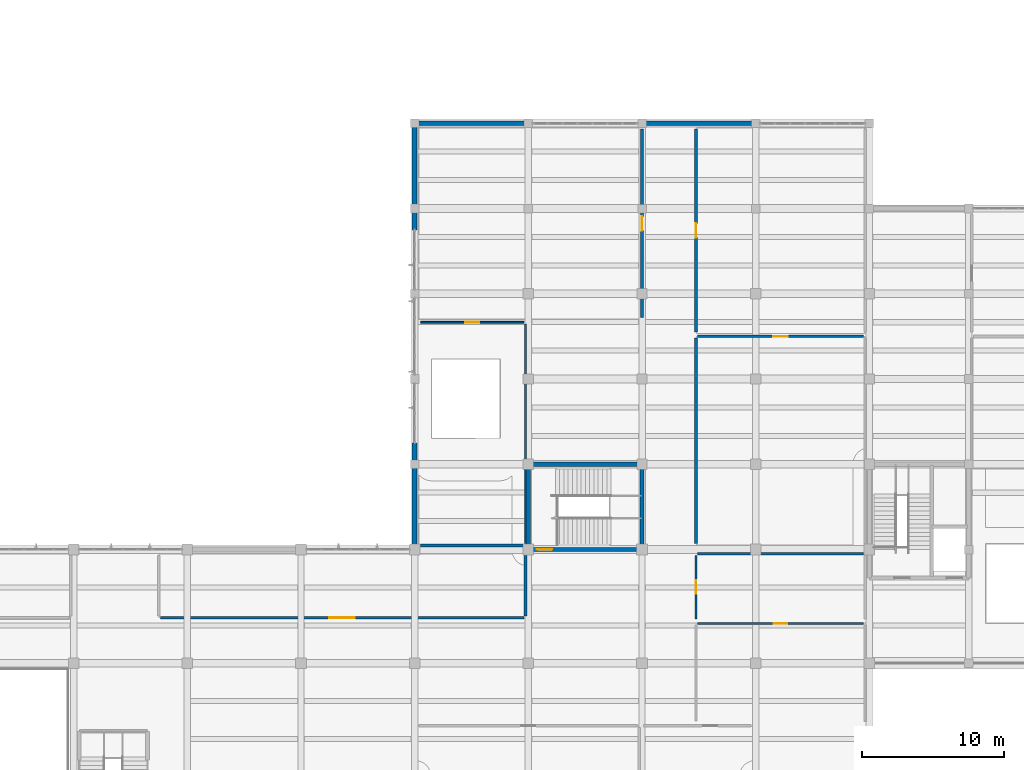
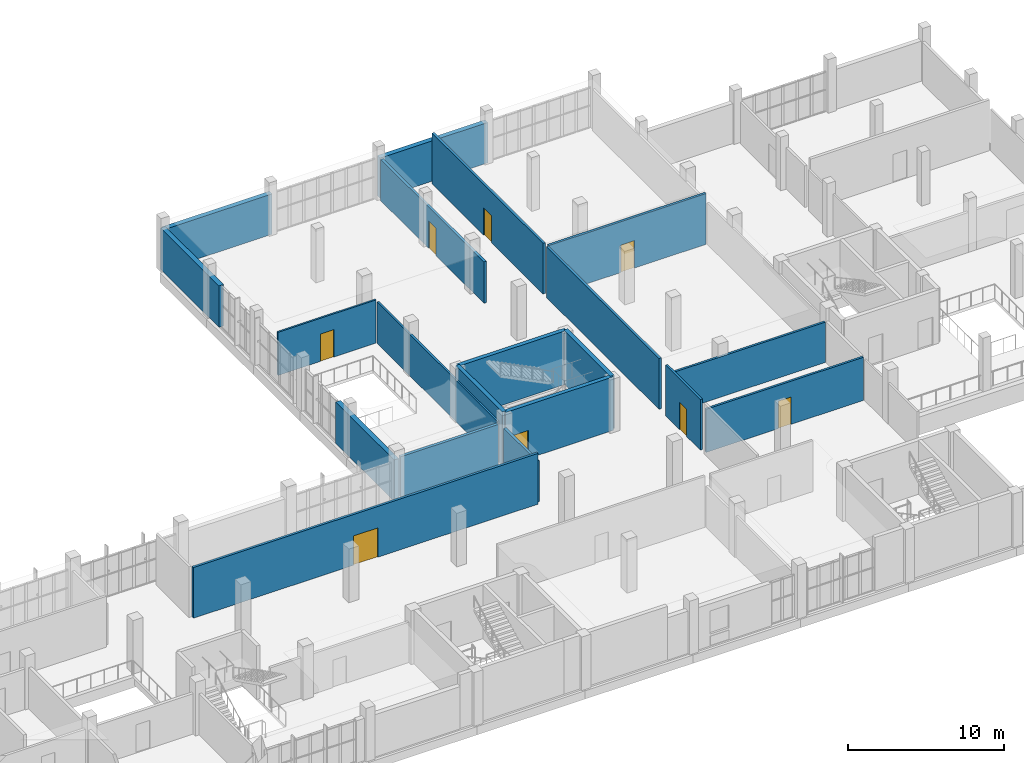
# One storey, part 65 of 85: 20 walls, 8 doors, 8 openings.
"""IFC4 building model written with IfcOpenShell, lengths in metres."""

from ifc_helpers import new_model, si_unit, direction, frame, frame_2d, origin, place, context, subcontext, project, spatial, rectangle, extrude, material, layer, layer_set, type_object, element, fill, save


model = new_model("IFC4")

# Units and contexts
model_context = context("Model", 3, precision=1e-05, world=origin(), true_north=direction((0.0, 1.0)))
body_context = subcontext(model_context, "Body", "Model", "MODEL_VIEW")
ifc_project = project(units=[si_unit("LENGTHUNIT", "METRE"), si_unit("AREAUNIT", "SQUARE_METRE"), si_unit("VOLUMEUNIT", "CUBIC_METRE"), si_unit("PLANEANGLEUNIT", "RADIAN"), si_unit("MASSUNIT", "GRAM", prefix="KILO")], contexts=[model_context])

# Site, building, storey
site_placement = place(None, origin())
site = spatial("IfcSite", under=ifc_project, at=site_placement, CompositionType="ELEMENT")
building_placement = place(site_placement, origin())
building = spatial("IfcBuilding", under=site, at=building_placement, Name="Solvane Community Centre", CompositionType="ELEMENT")
storey_placement = place(building_placement, frame((0.0, 0.0, 5.39990234375)))
storey = spatial("IfcBuildingStorey", under=building, at=storey_placement, Name="L01", CompositionType="ELEMENT", Elevation=5.39990234375)

# Wall, opening, door
ifc_material_1 = material(Name="Gypsum board partition")
ifc_layer_1 = layer(ifc_material_1, 0.1298828125)
ifc_layer_set_1 = layer_set([ifc_layer_1], Name="Gypsum board partition")
wall_type_1 = type_object("IfcWallType", Name="Acoustic Partition 130mm [73x34dm]", PredefinedType="PARTITIONING", material=ifc_layer_set_1)
wall_1_placement = place(storey_placement, frame((115.679931640625, 46.0, 0.0), z_axis=(0.0, 0.0, 1.0), x_axis=(-1.0, 0.0, 0.0)))
wall_1 = element("IfcWall", 1, at=wall_1_placement, inside=storey, type_object=wall_type_1, Name="Interior Wall WL-INT-L01-0281", PredefinedType="PARTITIONING", context=body_context, shape_type="SweptSolid", body=[
    extrude(rectangle(XDim=7.260009765625, YDim=0.1298828125, at=frame_2d((3.6298828125, 0.0))), origin(), (0.0, 0.0, 1.0), 3.385009765625),
])
opening_1_placement = place(wall_1_placement, frame((3.1298828125, 0.0, 0.0)))
opening_1 = element("IfcOpeningElement", 2, at=opening_1_placement, cuts=wall_1, Name="Opening ID01", PredefinedType="OPENING", context=body_context, shape_type="SweptSolid", body=[
    extrude(rectangle(XDim=1.0, YDim=2.14990234375, at=frame_2d((0.5, 1.074951171875))), frame((0.0, 0.074951171875, 0.0), z_axis=(0.0, -1.0, 0.0), x_axis=(1.0, 0.0, 0.0)), (0.0, 0.0, 1.0), 0.14990234375),
])
ifc_material_2 = material(Name="Anodised bronze aluminium AW-6063 T6", Category="aluminium")
door_type_1 = type_object("IfcDoorType", Name="Corridor Rated Classroom Door 1000x2150", OperationType="NOTDEFINED", PredefinedType="DOOR", material=ifc_material_2)
door_1_placement = place(opening_1_placement, origin())
door_1 = element("IfcDoor", 3, at=door_1_placement, inside=storey, type_object=door_type_1, Name="L01-D103", OperationType="SINGLE_SWING_RIGHT", OverallHeight=2.14990234375, OverallWidth=1.0, PredefinedType="DOOR", context=body_context, shape_type="SweptSolid", body=[
    extrude(rectangle(XDim=1.0, YDim=2.14990234375, at=frame_2d((0.5, 1.074951171875))), frame((0.0, 0.02490234375, 0.0), z_axis=(0.0, -1.0, 0.0), x_axis=(1.0, 0.0, 0.0)), (0.0, 0.0, 1.0), 0.050048828125),
])
fill(opening_1, door_1)

# Walls
ifc_layer_2 = layer(ifc_material_1, 0.14990234375)
ifc_layer_set_2 = layer_set([ifc_layer_2], Name="Gypsum board partition")
wall_type_2 = type_object("IfcWallType", Name="Acoustic Partition 150mm [155x32dm]", PredefinedType="PARTITIONING", material=ifc_layer_set_2)
wall_2_placement = place(storey_placement, frame((115.800048828125, 30.419921875, 0.0), z_axis=(0.0, 0.0, 1.0), x_axis=(0.0, 1.0, 0.0)))
element("IfcWall", 4, at=wall_2_placement, inside=storey, type_object=wall_type_2, Name="Interior Wall WL-INT-L01-0282", PredefinedType="PARTITIONING", context=body_context, shape_type="SweptSolid", body=[
    extrude(rectangle(XDim=15.4599609375, YDim=0.14990234375, at=frame_2d((7.72998046875, 0.0))), origin(), (0.0, 0.0, 1.0), 3.2451171875),
])
ifc_layer_3 = layer(ifc_material_1, 0.2099609375)
ifc_layer_set_3 = layer_set([ifc_layer_3], Name="Gypsum board partition")
wall_type_3 = type_object("IfcWallType", Name="Acoustic Partition 210mm [73x32dm]", PredefinedType="PARTITIONING", material=ifc_layer_set_3)
wall_3_placement = place(storey_placement, frame((108.419921875, 30.300048828125, 0.0), z_axis=(0.0, 0.0, 1.0), x_axis=(1.0, 0.0, 0.0)))
element("IfcWall", 5, at=wall_3_placement, inside=storey, type_object=wall_type_3, Name="Interior Wall WL-INT-L01-0280", PredefinedType="PARTITIONING", context=body_context, shape_type="SweptSolid", body=[
    extrude(rectangle(XDim=7.260009765625, YDim=0.2099609375, at=frame_2d((3.6298828125, 0.0))), origin(), (0.0, 0.0, 1.0), 3.1650390625),
])
ifc_material_3 = material(Name="Precast concrete C35/45", Category="concrete")
ifc_layer_4 = layer(ifc_material_3, 0.35009765625)
ifc_layer_set_4 = layer_set([ifc_layer_4], Name="Precast concrete C35/45")
wall_type_4 = type_object("IfcWallType", Name="Art Deco Limestone Cavity Wall 350mm [75x32dm]", PredefinedType="SOLIDWALL", material=ifc_layer_set_4)
for number, where, z_axis, x_axis, name in (
    (6, (108.0, 30.0, 0.0), (0.0, 0.0, 1.0), (0.0, 1.0, 0.0), "Exterior Wall WL-EXT-L01-0092"),
    (7, (108.0, 52.5, 0.0), (0.0, 0.0, 1.0), (0.0, 1.0, 0.0), "Exterior Wall WL-EXT-L01-0093"),
):
    element("IfcWall", number, at=place(storey_placement, frame(where, z_axis=z_axis, x_axis=x_axis)), inside=storey, type_object=wall_type_4, Name=name, PredefinedType="SOLIDWALL", context=body_context, shape_type="SweptSolid", body=[
        extrude(rectangle(XDim=7.5, YDim=0.35009765625, at=frame_2d((3.75, 0.0))), origin(), (0.0, 0.0, 1.0), 3.2451171875),
    ])
ifc_layer_5 = layer(ifc_material_3, 0.35009765625)
ifc_layer_set_5 = layer_set([ifc_layer_5], Name="Precast concrete C35/45")
wall_type_5 = type_object("IfcWallType", Name="Art Deco Limestone Cavity Wall 350mm [80x32dm]", PredefinedType="SOLIDWALL", material=ifc_layer_set_5)
for number, where, z_axis, x_axis, name in (
    (8, (108.0, 60.0, 0.0), (0.0, 0.0, 1.0), (1.0, 0.0, 0.0), "Exterior Wall WL-EXT-L01-0094"),
    (9, (124.0, 60.0, 0.0), (0.0, 0.0, 1.0), (1.0, 0.0, 0.0), "Exterior Wall WL-EXT-L01-0095"),
):
    element("IfcWall", number, at=place(storey_placement, frame(where, z_axis=z_axis, x_axis=x_axis)), inside=storey, type_object=wall_type_5, Name=name, PredefinedType="SOLIDWALL", context=body_context, shape_type="SweptSolid", body=[
        extrude(rectangle(XDim=8.0, YDim=0.35009765625, at=frame_2d((4.0, 0.0))), origin(), (0.0, 0.0, 1.0), 3.1650390625),
    ])

# Wall, opening, door
ifc_layer_6 = layer(ifc_material_1, 0.179931640625)
ifc_layer_set_6 = layer_set([ifc_layer_6], Name="Gypsum board partition")
wall_type_6 = type_object("IfcWallType", Name="Protected Corridor Wall 180mm [117x40dm]", PredefinedType="PARTITIONING", material=ifc_layer_set_6)
wall_4_placement = place(storey_placement, frame((139.580078125, 45.0, 0.0), z_axis=(0.0, 0.0, 1.0), x_axis=(-1.0, 0.0, 0.0)))
wall_4 = element("IfcWall", 10, at=wall_4_placement, inside=storey, type_object=wall_type_6, Name="Interior Wall WL-INT-L01-0284", PredefinedType="PARTITIONING", context=body_context, shape_type="SweptSolid", body=[
    extrude(rectangle(XDim=11.66015625, YDim=0.179931640625, at=frame_2d((5.830078125, 0.0))), origin(), (0.0, 0.0, 1.0), 3.97998046875),
])
opening_2_placement = place(wall_4_placement, frame((5.330078125, 0.0, 0.0)))
opening_2 = element("IfcOpeningElement", 11, at=opening_2_placement, cuts=wall_4, Name="Opening ID01", PredefinedType="OPENING", context=body_context, shape_type="SweptSolid", body=[
    extrude(rectangle(XDim=1.0, YDim=2.14990234375, at=frame_2d((0.5, 1.074951171875))), frame((0.0, 0.099853515625, 0.0), z_axis=(0.0, -1.0, 0.0), x_axis=(1.0, 0.0, 0.0)), (0.0, 0.0, 1.0), 0.199951171875),
])
door_2_placement = place(opening_2_placement, origin())
door_2 = element("IfcDoor", 12, at=door_2_placement, inside=storey, type_object=door_type_1, Name="L01-D105", OperationType="SINGLE_SWING_RIGHT", OverallHeight=2.14990234375, OverallWidth=1.0, PredefinedType="DOOR", context=body_context, shape_type="SweptSolid", body=[
    extrude(rectangle(XDim=1.0, YDim=2.14990234375, at=frame_2d((0.5, 1.074951171875))), frame((0.0, 0.02490234375, 0.0), z_axis=(0.0, -1.0, 0.0), x_axis=(1.0, 0.0, 0.0)), (0.0, 0.0, 1.0), 0.050048828125),
])
fill(opening_2, door_2)

ifc_layer_7 = layer(ifc_material_1, 0.179931640625)
ifc_layer_set_7 = layer_set([ifc_layer_7], Name="Gypsum board partition")
wall_type_7 = type_object("IfcWallType", Name="Protected Corridor Wall 180mm [133x32dm]", PredefinedType="PARTITIONING", material=ifc_layer_set_7)
wall_5_placement = place(storey_placement, frame((124.0, 46.320068359375, 0.0), z_axis=(0.0, 0.0, 1.0), x_axis=(0.0, 1.0, 0.0)))
wall_5 = element("IfcWall", 13, at=wall_5_placement, inside=storey, type_object=wall_type_7, Name="Interior Wall WL-INT-L01-0283", PredefinedType="PARTITIONING", context=body_context, shape_type="SweptSolid", body=[
    extrude(rectangle(XDim=13.260009765625, YDim=0.179931640625, at=frame_2d((6.6298828125, 0.0))), origin(), (0.0, 0.0, 1.0), 3.2451171875),
])
opening_3_placement = place(wall_5_placement, frame((6.1298828125, 0.0, 0.0)))
opening_3 = element("IfcOpeningElement", 14, at=opening_3_placement, cuts=wall_5, Name="Opening ID01", PredefinedType="OPENING", context=body_context, shape_type="SweptSolid", body=[
    extrude(rectangle(XDim=1.0, YDim=2.14990234375, at=frame_2d((0.5, 1.074951171875))), frame((0.0, 0.099853515625, 0.0), z_axis=(0.0, -1.0, 0.0), x_axis=(1.0, 0.0, 0.0)), (0.0, 0.0, 1.0), 0.199951171875),
])
door_3_placement = place(opening_3_placement, origin())
door_3 = element("IfcDoor", 15, at=door_3_placement, inside=storey, type_object=door_type_1, Name="L01-D104", OperationType="SINGLE_SWING_LEFT", OverallHeight=2.14990234375, OverallWidth=1.0, PredefinedType="DOOR", context=body_context, shape_type="SweptSolid", body=[
    extrude(rectangle(XDim=1.0, YDim=2.14990234375, at=frame_2d((0.5, 1.074951171875))), frame((0.0, 0.02490234375, 0.0), z_axis=(0.0, -1.0, 0.0), x_axis=(1.0, 0.0, 0.0)), (0.0, 0.0, 1.0), 0.050048828125),
])
fill(opening_3, door_3)

ifc_layer_8 = layer(ifc_material_1, 0.179931640625)
ifc_layer_set_8 = layer_set([ifc_layer_8], Name="Gypsum board partition")
wall_type_8 = type_object("IfcWallType", Name="Protected Corridor Wall 180mm [143x40dm]", PredefinedType="PARTITIONING", material=ifc_layer_set_8)
wall_6_placement = place(storey_placement, frame((127.800048828125, 59.580078125, 0.0), z_axis=(0.0, 0.0, 1.0), x_axis=(0.0, -1.0, 0.0)))
wall_6 = element("IfcWall", 16, at=wall_6_placement, inside=storey, type_object=wall_type_8, Name="Interior Wall WL-INT-L01-0287", PredefinedType="PARTITIONING", context=body_context, shape_type="SweptSolid", body=[
    extrude(rectangle(XDim=14.260009765625, YDim=0.179931640625, at=frame_2d((7.1298828125, 0.0))), origin(), (0.0, 0.0, 1.0), 3.97998046875),
])
opening_4_placement = place(wall_6_placement, frame((6.6298828125, 0.0, 0.0)))
opening_4 = element("IfcOpeningElement", 17, at=opening_4_placement, cuts=wall_6, Name="Opening ID01", PredefinedType="OPENING", context=body_context, shape_type="SweptSolid", body=[
    extrude(rectangle(XDim=1.0, YDim=2.14990234375, at=frame_2d((0.5, 1.074951171875))), frame((0.0, 0.099853515625, 0.0), z_axis=(0.0, -1.0, 0.0), x_axis=(1.0, 0.0, 0.0)), (0.0, 0.0, 1.0), 0.199951171875),
])
door_4_placement = place(opening_4_placement, origin())
door_4 = element("IfcDoor", 18, at=door_4_placement, inside=storey, type_object=door_type_1, Name="L01-D106", OperationType="SINGLE_SWING_LEFT", OverallHeight=2.14990234375, OverallWidth=1.0, PredefinedType="DOOR", context=body_context, shape_type="SweptSolid", body=[
    extrude(rectangle(XDim=1.0, YDim=2.14990234375, at=frame_2d((0.5, 1.074951171875))), frame((0.0, 0.02490234375, 0.0), z_axis=(0.0, -1.0, 0.0), x_axis=(1.0, 0.0, 0.0)), (0.0, 0.0, 1.0), 0.050048828125),
])
fill(opening_4, door_4)

# Wall
ifc_layer_9 = layer(ifc_material_1, 0.179931640625)
ifc_layer_set_9 = layer_set([ifc_layer_9], Name="Gypsum board partition")
wall_type_9 = type_object("IfcWallType", Name="Protected Corridor Wall 180mm [145x40dm]", PredefinedType="PARTITIONING", material=ifc_layer_set_9)
wall_7_placement = place(storey_placement, frame((127.800048828125, 44.8798828125, 0.0), z_axis=(0.0, 0.0, 1.0), x_axis=(0.0, -1.0, 0.0)))
element("IfcWall", 19, at=wall_7_placement, inside=storey, type_object=wall_type_9, Name="Interior Wall WL-INT-L01-0285", PredefinedType="PARTITIONING", context=body_context, shape_type="SweptSolid", body=[
    extrude(rectangle(XDim=14.4599609375, YDim=0.179931640625, at=frame_2d((7.22998046875, 0.0))), origin(), (0.0, 0.0, 1.0), 3.97998046875),
])

# Wall, opening, door
ifc_layer_10 = layer(ifc_material_1, 0.179931640625)
ifc_layer_set_10 = layer_set([ifc_layer_10], Name="Gypsum board partition")
wall_type_10 = type_object("IfcWallType", Name="Protected Corridor Wall 180mm [256x40dm]", PredefinedType="PARTITIONING", material=ifc_layer_set_10)
wall_8_placement = place(storey_placement, frame((90.1201171875, 25.199951171875, 0.0), z_axis=(0.0, 0.0, 1.0), x_axis=(1.0, 0.0, 0.0)))
wall_8 = element("IfcWall", 20, at=wall_8_placement, inside=storey, type_object=wall_type_10, Name="Interior Wall WL-INT-L01-0269", PredefinedType="PARTITIONING", context=body_context, shape_type="SweptSolid", body=[
    extrude(rectangle(XDim=25.559814453125, YDim=0.179931640625, at=frame_2d((12.77978515625, 0.0))), origin(), (0.0, 0.0, 1.0), 3.97998046875),
])
opening_5_placement = place(wall_8_placement, frame((11.8798828125, 0.0, 0.0)))
opening_5 = element("IfcOpeningElement", 21, at=opening_5_placement, cuts=wall_8, Name="Opening ID02", PredefinedType="OPENING", context=body_context, shape_type="SweptSolid", body=[
    extrude(rectangle(XDim=1.800048828125, YDim=2.300048828125, at=frame_2d((0.89990234375, 1.14990234375))), frame((0.0, 0.099853515625, 0.0), z_axis=(0.0, -1.0, 0.0), x_axis=(1.0, 0.0, 0.0)), (0.0, 0.0, 1.0), 0.199951171875),
])
door_type_2 = type_object("IfcDoorType", Name="Hall Acoustic Double Door 1800x2300", OperationType="NOTDEFINED", PredefinedType="DOOR", material=ifc_material_2)
door_5_placement = place(opening_5_placement, origin())
door_5 = element("IfcDoor", 22, at=door_5_placement, inside=storey, type_object=door_type_2, Name="L01-D099", OperationType="DOUBLE_DOOR_SINGLE_SWING", OverallHeight=2.300048828125, OverallWidth=1.800048828125, PredefinedType="DOOR", context=body_context, shape_type="SweptSolid", body=[
    extrude(rectangle(XDim=1.800048828125, YDim=2.300048828125, at=frame_2d((0.89990234375, 1.14990234375))), frame((0.0, 0.02490234375, 0.0), z_axis=(0.0, -1.0, 0.0), x_axis=(1.0, 0.0, 0.0)), (0.0, 0.0, 1.0), 0.050048828125),
])
fill(opening_5, door_5)

# Walls
ifc_layer_11 = layer(ifc_material_1, 0.179931640625)
ifc_layer_set_11 = layer_set([ifc_layer_11], Name="Gypsum board partition")
wall_type_11 = type_object("IfcWallType", Name="Protected Corridor Wall 180mm [43x32dm]", PredefinedType="PARTITIONING", material=ifc_layer_set_11)
wall_9_placement = place(storey_placement, frame((115.800048828125, 25.320068359375, 0.0), z_axis=(0.0, 0.0, 1.0), x_axis=(0.0, 1.0, 0.0)))
element("IfcWall", 23, at=wall_9_placement, inside=storey, type_object=wall_type_11, Name="Interior Wall WL-INT-L01-0271", PredefinedType="PARTITIONING", context=body_context, shape_type="SweptSolid", body=[
    extrude(rectangle(XDim=4.260009765625, YDim=0.179931640625, at=frame_2d((2.1298828125, 0.0))), origin(), (0.0, 0.0, 1.0), 3.22509765625),
])
ifc_material_4 = material(Name="Concrete C35/45", Category="concrete")
ifc_layer_12 = layer(ifc_material_4, 0.300048828125)
ifc_layer_set_12 = layer_set([ifc_layer_12], Name="Concrete C35/45")
wall_type_12 = type_object("IfcWallType", Name="RC Core Shear Wall 300mm [60x42dm]", PredefinedType="SHEAR", material=ifc_layer_set_12)
for number, where, z_axis, x_axis, name in (
    (24, (116.0, 30.0, 0.0), (0.0, 0.0, 1.0), (0.0, 1.0, 0.0), "Interior Wall WL-INT-L01-0077"),
    (25, (124.0, 36.0, 0.0), (0.0, 0.0, 1.0), (0.0, -1.0, 0.0), "Interior Wall WL-INT-L01-0079"),
):
    element("IfcWall", number, at=place(storey_placement, frame(where, z_axis=z_axis, x_axis=x_axis)), inside=storey, type_object=wall_type_12, Name=name, PredefinedType="SHEAR", context=body_context, shape_type="SweptSolid", body=[
        extrude(rectangle(XDim=6.0, YDim=0.300048828125, at=frame_2d((3.0, 0.0))), origin(), (0.0, 0.0, 1.0), 4.2001953125),
    ])

# Wall, opening, door
ifc_layer_13 = layer(ifc_material_4, 0.300048828125)
ifc_layer_set_13 = layer_set([ifc_layer_13], Name="Concrete C35/45")
wall_type_13 = type_object("IfcWallType", Name="RC Core Shear Wall 300mm [80x42dm]", PredefinedType="SHEAR", material=ifc_layer_set_13)
wall_10_placement = place(storey_placement, frame((124.0, 30.0, 0.0), z_axis=(0.0, 0.0, 1.0), x_axis=(-1.0, 0.0, 0.0)))
wall_10 = element("IfcWall", 26, at=wall_10_placement, inside=storey, type_object=wall_type_13, Name="Interior Wall WL-INT-L01-0076", PredefinedType="SHEAR", context=body_context, shape_type="SweptSolid", body=[
    extrude(rectangle(XDim=8.0, YDim=0.300048828125, at=frame_2d((4.0, 0.0))), origin(), (0.0, 0.0, 1.0), 4.2001953125),
])
opening_6_placement = place(wall_10_placement, frame((6.300048828125, 0.0, 0.0)))
opening_6 = element("IfcOpeningElement", 27, at=opening_6_placement, cuts=wall_10, Name="Opening SD02", PredefinedType="OPENING", context=body_context, shape_type="SweptSolid", body=[
    extrude(rectangle(XDim=1.10009765625, YDim=2.199951171875, at=frame_2d((0.550048828125, 1.10009765625))), frame((0.0, 0.159912109375, 0.0), z_axis=(0.0, -1.0, 0.0), x_axis=(1.0, 0.0, 0.0)), (0.0, 0.0, 1.0), 0.320068359375),
])
door_type_3 = type_object("IfcDoorType", Name="Core Stair Fire Door 1100x2200", OperationType="NOTDEFINED", PredefinedType="DOOR", material=ifc_material_2)
door_6_placement = place(opening_6_placement, origin())
door_6 = element("IfcDoor", 28, at=door_6_placement, inside=storey, type_object=door_type_3, Name="L01-D029", OperationType="SINGLE_SWING_RIGHT", OverallHeight=2.199951171875, OverallWidth=1.10009765625, PredefinedType="DOOR", context=body_context, shape_type="SweptSolid", body=[
    extrude(rectangle(XDim=1.10009765625, YDim=2.199951171875, at=frame_2d((0.550048828125, 1.10009765625))), frame((0.0, 0.02490234375, 0.0), z_axis=(0.0, -1.0, 0.0), x_axis=(1.0, 0.0, 0.0)), (0.0, 0.0, 1.0), 0.050048828125),
])
fill(opening_6, door_6)

# Walls
wall_11_placement = place(storey_placement, frame((116.0, 36.0, 0.0), z_axis=(0.0, 0.0, 1.0), x_axis=(1.0, 0.0, 0.0)))
element("IfcWall", 29, at=wall_11_placement, inside=storey, type_object=wall_type_13, Name="Interior Wall WL-INT-L01-0078", PredefinedType="SHEAR", context=body_context, shape_type="SweptSolid", body=[
    extrude(rectangle(XDim=8.0, YDim=0.300048828125, at=frame_2d((4.0, 0.0))), origin(), (0.0, 0.0, 1.0), 4.2001953125),
])
ifc_layer_14 = layer(ifc_material_1, 0.159912109375)
ifc_layer_set_14 = layer_set([ifc_layer_14], Name="Gypsum board partition")
wall_type_14 = type_object("IfcWallType", Name="Sanitary Plumbing Chase Wall 160mm [117x32dm]", PredefinedType="PLUMBINGWALL", material=ifc_layer_set_14)
wall_12_placement = place(storey_placement, frame((139.580078125, 29.699951171875, 0.0), z_axis=(0.0, 0.0, 1.0), x_axis=(-1.0, 0.0, 0.0)))
element("IfcWall", 30, at=wall_12_placement, inside=storey, type_object=wall_type_14, Name="Interior Wall WL-INT-L01-0277", PredefinedType="PLUMBINGWALL", context=body_context, shape_type="SweptSolid", body=[
    extrude(rectangle(XDim=11.66015625, YDim=0.159912109375, at=frame_2d((5.830078125, 0.0))), origin(), (0.0, 0.0, 1.0), 3.1650390625),
])

# Wall, opening, door
ifc_layer_15 = layer(ifc_material_1, 0.159912109375)
ifc_layer_set_15 = layer_set([ifc_layer_15], Name="Gypsum board partition")
wall_type_15 = type_object("IfcWallType", Name="Sanitary Plumbing Chase Wall 160mm [117x34dm]", PredefinedType="PLUMBINGWALL", material=ifc_layer_set_15)
wall_13_placement = place(storey_placement, frame((139.580078125, 24.800048828125, 0.0), z_axis=(0.0, 0.0, 1.0), x_axis=(-1.0, 0.0, 0.0)))
wall_13 = element("IfcWall", 31, at=wall_13_placement, inside=storey, type_object=wall_type_15, Name="Interior Wall WL-INT-L01-0274", PredefinedType="PLUMBINGWALL", context=body_context, shape_type="SweptSolid", body=[
    extrude(rectangle(XDim=11.66015625, YDim=0.159912109375, at=frame_2d((5.830078125, 0.0))), origin(), (0.0, 0.0, 1.0), 3.385009765625),
])
opening_7_placement = place(wall_13_placement, frame((5.35498046875, 0.0, 0.0)))
opening_7 = element("IfcOpeningElement", 32, at=opening_7_placement, cuts=wall_13, Name="Opening ID03", PredefinedType="OPENING", context=body_context, shape_type="SweptSolid", body=[
    extrude(rectangle(XDim=0.949951171875, YDim=2.14990234375, at=frame_2d((0.47509765625, 1.074951171875))), frame((0.0, 0.08984375, 0.0), z_axis=(0.0, -1.0, 0.0), x_axis=(1.0, 0.0, 0.0)), (0.0, 0.0, 1.0), 0.179931640625),
])
door_type_4 = type_object("IfcDoorType", Name="Accessible Sanitary Door 950x2150", OperationType="NOTDEFINED", PredefinedType="DOOR", material=ifc_material_2)
door_7_placement = place(opening_7_placement, origin())
door_7 = element("IfcDoor", 33, at=door_7_placement, inside=storey, type_object=door_type_4, Name="L01-D101", OperationType="SINGLE_SWING_RIGHT", OverallHeight=2.14990234375, OverallWidth=0.949951171875, PredefinedType="DOOR", context=body_context, shape_type="SweptSolid", body=[
    extrude(rectangle(XDim=0.949951171875, YDim=2.14990234375, at=frame_2d((0.47509765625, 1.074951171875))), frame((0.0, 0.02490234375, 0.0), z_axis=(0.0, -1.0, 0.0), x_axis=(1.0, 0.0, 0.0)), (0.0, 0.0, 1.0), 0.050048828125),
])
fill(opening_7, door_7)

ifc_layer_16 = layer(ifc_material_1, 0.159912109375)
ifc_layer_set_16 = layer_set([ifc_layer_16], Name="Gypsum board partition")
wall_type_16 = type_object("IfcWallType", Name="Sanitary Plumbing Chase Wall 160mm [45x40dm]", PredefinedType="PLUMBINGWALL", material=ifc_layer_set_16)
wall_14_placement = place(storey_placement, frame((127.800048828125, 29.580078125, 0.0), z_axis=(0.0, 0.0, 1.0), x_axis=(0.0, -1.0, 0.0)))
wall_14 = element("IfcWall", 34, at=wall_14_placement, inside=storey, type_object=wall_type_16, Name="Interior Wall WL-INT-L01-0278", PredefinedType="PLUMBINGWALL", context=body_context, shape_type="SweptSolid", body=[
    extrude(rectangle(XDim=4.4599609375, YDim=0.159912109375, at=frame_2d((2.22998046875, 0.0))), origin(), (0.0, 0.0, 1.0), 3.97998046875),
])
opening_8_placement = place(wall_14_placement, frame((1.7548828125, 0.0, 0.0)))
opening_8 = element("IfcOpeningElement", 35, at=opening_8_placement, cuts=wall_14, Name="Opening ID03", PredefinedType="OPENING", context=body_context, shape_type="SweptSolid", body=[
    extrude(rectangle(XDim=0.949951171875, YDim=2.14990234375, at=frame_2d((0.47509765625, 1.074951171875))), frame((0.0, 0.08984375, 0.0), z_axis=(0.0, -1.0, 0.0), x_axis=(1.0, 0.0, 0.0)), (0.0, 0.0, 1.0), 0.179931640625),
])
door_8_placement = place(opening_8_placement, origin())
door_8 = element("IfcDoor", 36, at=door_8_placement, inside=storey, type_object=door_type_4, Name="L01-D102", OperationType="SINGLE_SWING_LEFT", OverallHeight=2.14990234375, OverallWidth=0.949951171875, PredefinedType="DOOR", context=body_context, shape_type="SweptSolid", body=[
    extrude(rectangle(XDim=0.949951171875, YDim=2.14990234375, at=frame_2d((0.47509765625, 1.074951171875))), frame((0.0, 0.02490234375, 0.0), z_axis=(0.0, -1.0, 0.0), x_axis=(1.0, 0.0, 0.0)), (0.0, 0.0, 1.0), 0.050048828125),
])
fill(opening_8, door_8)

save(model, "model.ifc")
